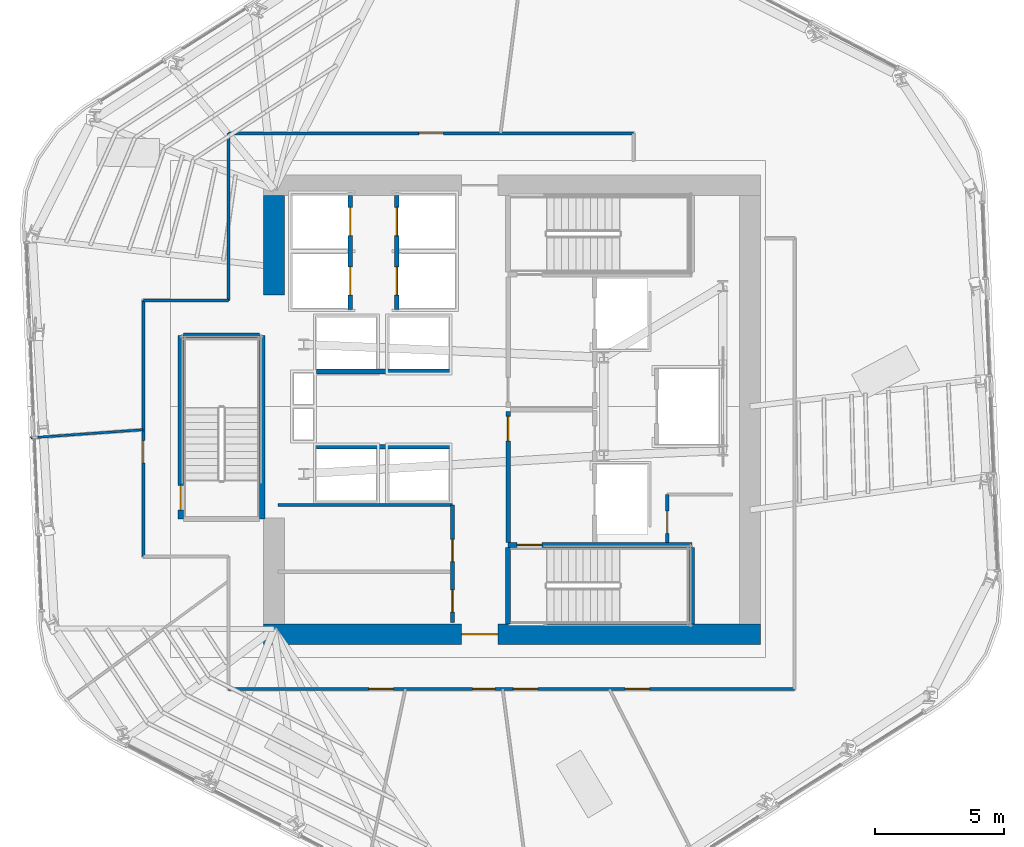
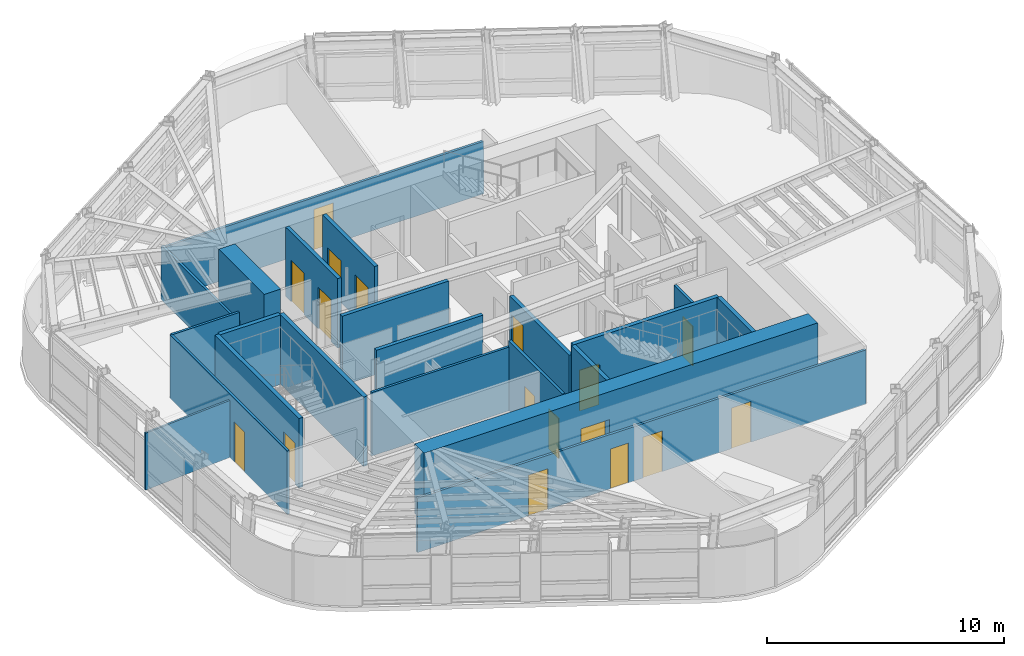
# One storey, part 8 of 15: 22 walls, 17 doors, 17 openings.
"""IFC4 building model written with IfcOpenShell, lengths in metres."""

from ifc_helpers import new_model, si_unit, direction, frame, frame_2d, origin, place, context, subcontext, project, spatial, rectangle, extrude, material, layer, layer_set, type_object, element, fill, save


model = new_model("IFC4")

# Units and contexts
model_context = context("Model", 3, precision=1e-05, world=origin(), true_north=direction((0.0, 1.0)))
body_context = subcontext(model_context, "Body", "Model", "MODEL_VIEW")
ifc_project = project(units=[si_unit("LENGTHUNIT", "METRE"), si_unit("AREAUNIT", "SQUARE_METRE"), si_unit("VOLUMEUNIT", "CUBIC_METRE"), si_unit("PLANEANGLEUNIT", "RADIAN"), si_unit("MASSUNIT", "GRAM", prefix="KILO")], contexts=[model_context])

# Site, building, storey
site_placement = place(None, origin())
site = spatial("IfcSite", under=ifc_project, at=site_placement, CompositionType="ELEMENT")
building_placement = place(site_placement, origin())
building = spatial("IfcBuilding", under=site, at=building_placement, Name="Valkerne Bourse Tower", CompositionType="ELEMENT")
storey_placement = place(building_placement, frame((0.0, 0.0, 162.800048828125)))
storey = spatial("IfcBuildingStorey", under=building, at=storey_placement, Name="L41", CompositionType="ELEMENT", Elevation=162.800048828125)

# Wall, opening, door
ifc_material_1 = material(Name="Concrete C55/67", Category="concrete")
ifc_layer_1 = layer(ifc_material_1, 0.800048828125)
ifc_layer_set_1 = layer_set([ifc_layer_1], Name="Concrete C55/67")
wall_type_1 = type_object("IfcWallType", Name="W-CORE-800", PredefinedType="SHEAR", material=ifc_layer_set_1)
wall_1_placement = place(storey_placement, frame((37.199951171875, 18.199951171875, 0.0), z_axis=(0.0, 0.0, 1.0), x_axis=(1.0, 0.0, 0.0)))
wall_1 = element("IfcWall", 1, at=wall_1_placement, inside=storey, type_object=wall_type_1, Name="L41 Core Shear Wall SOUTH", PredefinedType="SHEAR", context=body_context, shape_type="SweptSolid", body=[
    extrude(rectangle(XDim=19.199951171875, YDim=0.800048828125, at=frame_2d((9.60009765625, 0.0))), origin(), (0.0, 0.0, 1.0), 3.579833984375),
])
opening_1_placement = place(wall_1_placement, frame((7.64990234375, 0.0, 0.0)))
opening_1 = element("IfcOpeningElement", 2, at=opening_1_placement, cuts=wall_1, Name="Opening D-PL-1400", PredefinedType="OPENING", context=body_context, shape_type="SweptSolid", body=[
    extrude(rectangle(XDim=1.39990234375, YDim=2.14990234375, at=frame_2d((0.699951171875, 1.074951171875))), frame((0.0, 0.409912109375, 0.0), z_axis=(0.0, -1.0, 0.0), x_axis=(1.0, 0.0, 0.0)), (0.0, 0.0, 1.0), 0.820068359375),
])
ifc_material_2 = material(Name="Galvanised Painted Steel", Category="steel")
door_type_1 = type_object("IfcDoorType", Name="DR-PLT-1400", OperationType="DOUBLE_DOOR_SINGLE_SWING", PredefinedType="DOOR", material=ifc_material_2)
door_1_placement = place(opening_1_placement, origin())
door_1 = element("IfcDoor", 3, at=door_1_placement, inside=storey, type_object=door_type_1, Name="L41 South Passenger Lift Hall Fire Door", OperationType="DOUBLE_DOOR_SINGLE_SWING", OverallHeight=2.14990234375, OverallWidth=1.39990234375, PredefinedType="DOOR", context=body_context, shape_type="SweptSolid", body=[
    extrude(rectangle(XDim=1.39990234375, YDim=2.14990234375, at=frame_2d((0.699951171875, 1.074951171875))), frame((0.0, 0.02490234375, 0.0), z_axis=(0.0, -1.0, 0.0), x_axis=(1.0, 0.0, 0.0)), (0.0, 0.0, 1.0), 0.050048828125),
])
fill(opening_1, door_1)

# Walls
wall_2_placement = place(storey_placement, frame((37.60009765625, 31.300048828125, 0.0), z_axis=(0.0, 0.0, 1.0), x_axis=(0.0, 1.0, 0.0)))
element("IfcWall", 4, at=wall_2_placement, inside=storey, type_object=wall_type_1, Name="L41 Core Shear Wall WEST-N", PredefinedType="SHEAR", context=body_context, shape_type="SweptSolid", body=[
    extrude(rectangle(XDim=3.849853515625, YDim=0.800048828125, at=frame_2d((1.9248046875, 0.0))), origin(), (0.0, 0.0, 1.0), 3.579833984375),
])
ifc_material_3 = material(Name="Gypsum Board Steel-Stud Partition", Category="steel")
ifc_layer_2 = layer(ifc_material_3, 0.117919921875)
ifc_layer_set_2 = layer_set([ifc_layer_2], Name="Gypsum Board Steel-Stud Partition")
wall_type_2 = type_object("IfcWallType", Name="W-CORR-140", PredefinedType="PARTITIONING", material=ifc_layer_set_2)
wall_3_placement = place(storey_placement, frame((37.75, 23.199951171875, 0.0), z_axis=(0.0, 0.0, 1.0), x_axis=(1.0, 0.0, 0.0)))
element("IfcWall", 5, at=wall_3_placement, inside=storey, type_object=wall_type_2, Name="L41 LV7 Low-Bank North Wall", PredefinedType="PARTITIONING", context=body_context, shape_type="SweptSolid", body=[
    extrude(rectangle(XDim=6.75, YDim=0.117919921875, at=frame_2d((3.375, 0.0))), origin(), (0.0, 0.0, 1.0), 3.280029296875),
])

# Wall, opening, door
wall_4_placement = place(storey_placement, frame((52.800048828125, 21.75, 0.0), z_axis=(0.0, 0.0, 1.0), x_axis=(0.0, 1.0, 0.0)))
wall_4 = element("IfcWall", 6, at=wall_4_placement, inside=storey, type_object=wall_type_2, Name="L41 Core SE South-Bay West Wall", PredefinedType="PARTITIONING", context=body_context, shape_type="SweptSolid", body=[
    extrude(rectangle(XDim=1.85009765625, YDim=0.117919921875, at=frame_2d((0.925048828125, 0.0))), origin(), (0.0, 0.0, 1.0), 3.280029296875),
])
opening_2_placement = place(wall_4_placement, frame((0.35009765625, 0.0, 0.0)))
opening_2 = element("IfcOpeningElement", 7, at=opening_2_placement, cuts=wall_4, Name="Opening D-WC-900", PredefinedType="OPENING", context=body_context, shape_type="SweptSolid", body=[
    extrude(rectangle(XDim=0.860107421875, YDim=2.050048828125, at=frame_2d((0.43017578125, 1.02490234375))), frame((0.0, 0.06884765625, 0.0), z_axis=(0.0, -1.0, 0.0), x_axis=(1.0, 0.0, 0.0)), (0.0, 0.0, 1.0), 0.137939453125),
])
ifc_material_4 = material(Name="Architectural White Oak Timber", Category="wood")
door_type_2 = type_object("IfcDoorType", Name="DR-WC-900", OperationType="NOTDEFINED", PredefinedType="DOOR", material=ifc_material_4)
door_2_placement = place(opening_2_placement, origin())
door_2 = element("IfcDoor", 8, at=door_2_placement, inside=storey, type_object=door_type_2, Name="L41 Janitor Store Door", OperationType="SINGLE_SWING_RIGHT", OverallHeight=2.050048828125, OverallWidth=0.860107421875, PredefinedType="DOOR", context=body_context, shape_type="SweptSolid", body=[
    extrude(rectangle(XDim=0.860107421875, YDim=2.050048828125, at=frame_2d((0.43017578125, 1.02490234375))), frame((0.0, 0.02490234375, 0.0), z_axis=(0.0, -1.0, 0.0), x_axis=(1.0, 0.0, 0.0)), (0.0, 0.0, 1.0), 0.050048828125),
])
fill(opening_2, door_2)

wall_5_placement = place(storey_placement, frame((32.550048828125, 21.199951171875, 0.0), z_axis=(0.0, 0.0, 1.0), x_axis=(0.0, 1.0, 0.0)))
wall_5 = element("IfcWall", 9, at=wall_5_placement, inside=storey, type_object=wall_type_2, Name="L41 Corridor Enclosure Wall", PredefinedType="PARTITIONING", context=body_context, shape_type="SweptSolid", body=[
    extrude(rectangle(XDim=9.900146484375, YDim=0.117919921875, at=frame_2d((4.9501953125, 0.0))), origin(), (0.0, 0.0, 1.0), 3.280029296875),
])
opening_3_placement = place(wall_5_placement, frame((3.6201171875, 0.0, 0.0)))
opening_3 = element("IfcOpeningElement", 10, at=opening_3_placement, cuts=wall_5, Name="Opening D-WC-900", PredefinedType="OPENING", context=body_context, shape_type="SweptSolid", body=[
    extrude(rectangle(XDim=0.860107421875, YDim=2.050048828125, at=frame_2d((0.43017578125, 1.02490234375))), frame((0.0, 0.06884765625, 0.0), z_axis=(0.0, -1.0, 0.0), x_axis=(1.0, 0.0, 0.0)), (0.0, 0.0, 1.0), 0.137939453125),
])
door_3_placement = place(opening_3_placement, origin())
door_3 = element("IfcDoor", 11, at=door_3_placement, inside=storey, type_object=door_type_2, Name="L41 L41 Men Bathroom WC 1 Door", OperationType="SINGLE_SWING_RIGHT", OverallHeight=2.050048828125, OverallWidth=0.860107421875, PredefinedType="DOOR", context=body_context, shape_type="SweptSolid", body=[
    extrude(rectangle(XDim=0.860107421875, YDim=2.050048828125, at=frame_2d((0.43017578125, 1.02490234375))), frame((0.0, 0.02490234375, 0.0), z_axis=(0.0, -1.0, 0.0), x_axis=(1.0, 0.0, 0.0)), (0.0, 0.0, 1.0), 0.050048828125),
])
fill(opening_3, door_3)

# Walls
wall_6_placement = place(storey_placement, frame((32.550048828125, 31.10009765625, 0.0), z_axis=(0.0, 0.0, 1.0), x_axis=(1.0, 0.0, 0.0)))
element("IfcWall", 12, at=wall_6_placement, inside=storey, type_object=wall_type_2, Name="L41 Corridor Enclosure Wall", PredefinedType="PARTITIONING", context=body_context, shape_type="SweptSolid", body=[
    extrude(rectangle(XDim=3.300048828125, YDim=0.117919921875, at=frame_2d((1.64990234375, 0.0))), origin(), (0.0, 0.0, 1.0), 3.280029296875),
])
wall_7_placement = place(storey_placement, frame((35.85009765625, 31.10009765625, 0.0), z_axis=(0.0, 0.0, 1.0), x_axis=(0.0, 1.0, 0.0)))
element("IfcWall", 13, at=wall_7_placement, inside=storey, type_object=wall_type_2, Name="L41 Corridor Enclosure Wall", PredefinedType="PARTITIONING", context=body_context, shape_type="SweptSolid", body=[
    extrude(rectangle(XDim=6.4599609375, YDim=0.117919921875, at=frame_2d((3.22998046875, 0.0))), origin(), (0.0, 0.0, 1.0), 2.80029296875),
])

# Wall, opening, door
wall_8_placement = place(storey_placement, frame((35.85009765625, 37.56005859375, 0.0), z_axis=(0.0, 0.0, 1.0), x_axis=(1.0, 0.0, 0.0)))
wall_8 = element("IfcWall", 14, at=wall_8_placement, inside=storey, type_object=wall_type_2, Name="L41 Corridor Enclosure Wall", PredefinedType="PARTITIONING", context=body_context, shape_type="SweptSolid", body=[
    extrude(rectangle(XDim=15.64990234375, YDim=0.117919921875, at=frame_2d((7.824951171875, 0.0))), origin(), (0.0, 0.0, 1.0), 2.71142578125),
])
opening_4_placement = place(wall_8_placement, frame((7.35009765625, 0.0, 0.0)))
opening_4 = element("IfcOpeningElement", 15, at=opening_4_placement, cuts=wall_8, Name="Opening D-OF-950", PredefinedType="OPENING", context=body_context, shape_type="SweptSolid", body=[
    extrude(rectangle(XDim=0.949951171875, YDim=2.10009765625, at=frame_2d((0.47509765625, 1.050048828125))), frame((0.0, 0.06884765625, 0.0), z_axis=(0.0, -1.0, 0.0), x_axis=(1.0, 0.0, 0.0)), (0.0, 0.0, 1.0), 0.137939453125),
])
door_type_3 = type_object("IfcDoorType", Name="DR-OFF-950", OperationType="NOTDEFINED", PredefinedType="DOOR", material=ifc_material_4)
door_4_placement = place(opening_4_placement, origin())
door_4 = element("IfcDoor", 16, at=door_4_placement, inside=storey, type_object=door_type_3, Name="L41 L41 Exchange Security Control Room 5 Door", OperationType="SINGLE_SWING_LEFT", OverallHeight=2.10009765625, OverallWidth=0.949951171875, PredefinedType="DOOR", context=body_context, shape_type="SweptSolid", body=[
    extrude(rectangle(XDim=0.949951171875, YDim=2.10009765625, at=frame_2d((0.47509765625, 1.050048828125))), frame((0.0, 0.02490234375, 0.0), z_axis=(0.0, -1.0, 0.0), x_axis=(1.0, 0.0, 0.0)), (0.0, 0.0, 1.0), 0.050048828125),
])
fill(opening_4, door_4)

# Wall, openings, doors
wall_9_placement = place(storey_placement, frame((57.719970703125, 16.080078125, 0.0), z_axis=(0.0, 0.0, 1.0), x_axis=(-1.0, 0.0, 0.0)))
wall_9 = element("IfcWall", 17, at=wall_9_placement, inside=storey, type_object=wall_type_2, Name="L41 Corridor Enclosure Wall", PredefinedType="PARTITIONING", context=body_context, shape_type="SweptSolid", body=[
    extrude(rectangle(XDim=21.869873046875, YDim=0.117919921875, at=frame_2d((10.93505859375, 0.0))), origin(), (0.0, 0.0, 1.0), 2.80029296875),
])
opening_5_placement = place(wall_9_placement, frame((11.5849609375, 0.0, 0.0)))
opening_5 = element("IfcOpeningElement", 18, at=opening_5_placement, cuts=wall_9, Name="Opening D-WC-900", PredefinedType="OPENING", context=body_context, shape_type="SweptSolid", body=[
    extrude(rectangle(XDim=0.860107421875, YDim=2.050048828125, at=frame_2d((0.43017578125, 1.02490234375))), frame((0.0, 0.06884765625, 0.0), z_axis=(0.0, -1.0, 0.0), x_axis=(1.0, 0.0, 0.0)), (0.0, 0.0, 1.0), 0.137939453125),
])
opening_6_placement = place(wall_9_placement, frame((9.919921875, 0.0, 0.0)))
opening_6 = element("IfcOpeningElement", 19, at=opening_6_placement, cuts=wall_9, Name="Opening D-OF-950", PredefinedType="OPENING", context=body_context, shape_type="SweptSolid", body=[
    extrude(rectangle(XDim=0.949951171875, YDim=2.10009765625, at=frame_2d((0.47509765625, 1.050048828125))), frame((0.0, 0.06884765625, 0.0), z_axis=(0.0, -1.0, 0.0), x_axis=(1.0, 0.0, 0.0)), (0.0, 0.0, 1.0), 0.137939453125),
])
opening_7_placement = place(wall_9_placement, frame((15.5, 0.0, 0.0)))
opening_7 = element("IfcOpeningElement", 20, at=opening_7_placement, cuts=wall_9, Name="Opening D-OF-950", PredefinedType="OPENING", context=body_context, shape_type="SweptSolid", body=[
    extrude(rectangle(XDim=0.949951171875, YDim=2.10009765625, at=frame_2d((0.47509765625, 1.050048828125))), frame((0.0, 0.06884765625, 0.0), z_axis=(0.0, -1.0, 0.0), x_axis=(1.0, 0.0, 0.0)), (0.0, 0.0, 1.0), 0.137939453125),
])
opening_8_placement = place(wall_9_placement, frame((5.60009765625, 0.0, 0.0)))
opening_8 = element("IfcOpeningElement", 21, at=opening_8_placement, cuts=wall_9, Name="Opening D-OF-950", PredefinedType="OPENING", context=body_context, shape_type="SweptSolid", body=[
    extrude(rectangle(XDim=0.949951171875, YDim=2.10009765625, at=frame_2d((0.47509765625, 1.050048828125))), frame((0.0, 0.06884765625, 0.0), z_axis=(0.0, -1.0, 0.0), x_axis=(1.0, 0.0, 0.0)), (0.0, 0.0, 1.0), 0.137939453125),
])
door_5_placement = place(opening_6_placement, origin())
door_5 = element("IfcDoor", 22, at=door_5_placement, inside=storey, type_object=door_type_3, Name="L41 L41 VIP Client Concierge Reception 3 Door", OperationType="SINGLE_SWING_LEFT", OverallHeight=2.10009765625, OverallWidth=0.949951171875, PredefinedType="DOOR", context=body_context, shape_type="SweptSolid", body=[
    extrude(rectangle(XDim=0.949951171875, YDim=2.10009765625, at=frame_2d((0.47509765625, 1.050048828125))), frame((0.0, 0.02490234375, 0.0), z_axis=(0.0, -1.0, 0.0), x_axis=(1.0, 0.0, 0.0)), (0.0, 0.0, 1.0), 0.050048828125),
])
fill(opening_6, door_5)
door_6_placement = place(opening_7_placement, origin())
door_6 = element("IfcDoor", 23, at=door_6_placement, inside=storey, type_object=door_type_3, Name="L41 L41 VIP Client Concierge Reception 4 Door", OperationType="SINGLE_SWING_LEFT", OverallHeight=2.10009765625, OverallWidth=0.949951171875, PredefinedType="DOOR", context=body_context, shape_type="SweptSolid", body=[
    extrude(rectangle(XDim=0.949951171875, YDim=2.10009765625, at=frame_2d((0.47509765625, 1.050048828125))), frame((0.0, 0.02490234375, 0.0), z_axis=(0.0, -1.0, 0.0), x_axis=(1.0, 0.0, 0.0)), (0.0, 0.0, 1.0), 0.050048828125),
])
fill(opening_7, door_6)
door_7_placement = place(opening_8_placement, origin())
door_7 = element("IfcDoor", 24, at=door_7_placement, inside=storey, type_object=door_type_3, Name="L41 L41 Member Collaboration Club Salon 6 Door", OperationType="SINGLE_SWING_LEFT", OverallHeight=2.10009765625, OverallWidth=0.949951171875, PredefinedType="DOOR", context=body_context, shape_type="SweptSolid", body=[
    extrude(rectangle(XDim=0.949951171875, YDim=2.10009765625, at=frame_2d((0.47509765625, 1.050048828125))), frame((0.0, 0.02490234375, 0.0), z_axis=(0.0, -1.0, 0.0), x_axis=(1.0, 0.0, 0.0)), (0.0, 0.0, 1.0), 0.050048828125),
])
fill(opening_8, door_7)
door_8_placement = place(opening_5_placement, origin())
door_8 = element("IfcDoor", 25, at=door_8_placement, inside=storey, type_object=door_type_2, Name="L41 L41 Women Restroom & Shower WC 2 Door", OperationType="SINGLE_SWING_RIGHT", OverallHeight=2.050048828125, OverallWidth=0.860107421875, PredefinedType="DOOR", context=body_context, shape_type="SweptSolid", body=[
    extrude(rectangle(XDim=0.860107421875, YDim=2.050048828125, at=frame_2d((0.43017578125, 1.02490234375))), frame((0.0, 0.02490234375, 0.0), z_axis=(0.0, -1.0, 0.0), x_axis=(1.0, 0.0, 0.0)), (0.0, 0.0, 1.0), 0.050048828125),
])
fill(opening_5, door_8)

# Wall, opening, door
ifc_material_5 = material(Name="Gypsum Fire-Rated Shaftwall", Category="gypsum")
ifc_layer_3 = layer(ifc_material_5, 0.179931640625)
ifc_layer_set_3 = layer_set([ifc_layer_3], Name="Gypsum Fire-Rated Shaftwall")
wall_type_3 = type_object("IfcWallType", Name="W-FSAE-180", PredefinedType="PARTITIONING", material=ifc_layer_set_3)
wall_10_placement = place(storey_placement, frame((46.64990234375, 21.75, 0.0), z_axis=(0.0, 0.0, 1.0), x_axis=(0.0, 1.0, 0.0)))
wall_10 = element("IfcWall", 26, at=wall_10_placement, inside=storey, type_object=wall_type_3, Name="L41 FSAE-1 Lobby West Fire Wall", PredefinedType="PARTITIONING", context=body_context, shape_type="SweptSolid", body=[
    extrude(rectangle(XDim=5.050048828125, YDim=0.179931640625, at=frame_2d((2.52490234375, 0.0))), origin(), (0.0, 0.0, 1.0), 2.957763671875),
])
opening_9_placement = place(wall_10_placement, frame((3.919921875, 0.0, 0.0)))
opening_9 = element("IfcOpeningElement", 27, at=opening_9_placement, cuts=wall_10, Name="Opening D-FS-950", PredefinedType="OPENING", context=body_context, shape_type="SweptSolid", body=[
    extrude(rectangle(XDim=0.949951171875, YDim=2.10009765625, at=frame_2d((0.47509765625, 1.050048828125))), frame((0.0, 0.099853515625, 0.0), z_axis=(0.0, -1.0, 0.0), x_axis=(1.0, 0.0, 0.0)), (0.0, 0.0, 1.0), 0.199951171875),
])
door_type_4 = type_object("IfcDoorType", Name="DR-FSAE-950", OperationType="NOTDEFINED", PredefinedType="DOOR", material=ifc_material_2)
door_9_placement = place(opening_9_placement, origin())
door_9 = element("IfcDoor", 28, at=door_9_placement, inside=storey, type_object=door_type_4, Name="L41 FSAE-1 Hall Link Fire Door", OperationType="SINGLE_SWING_LEFT", OverallHeight=2.10009765625, OverallWidth=0.949951171875, PredefinedType="DOOR", context=body_context, shape_type="SweptSolid", body=[
    extrude(rectangle(XDim=0.949951171875, YDim=2.10009765625, at=frame_2d((0.47509765625, 1.050048828125))), frame((0.0, 0.02490234375, 0.0), z_axis=(0.0, -1.0, 0.0), x_axis=(1.0, 0.0, 0.0)), (0.0, 0.0, 1.0), 0.050048828125),
])
fill(opening_9, door_9)

# Wall, openings, doors
ifc_material_6 = material(Name="CMU Blockwork Masonry 200mm", Category="masonry")
ifc_layer_4 = layer(ifc_material_6, 0.179931640625)
ifc_layer_set_4 = layer_set([ifc_layer_4], Name="CMU Blockwork Masonry 200mm")
wall_type_4 = type_object("IfcWallType", Name="W-LFT-180", PredefinedType="SOLIDWALL", material=ifc_layer_set_4)
wall_11_placement = place(storey_placement, frame((40.550048828125, 30.75, 0.0), z_axis=(0.0, 0.0, 1.0), x_axis=(0.0, 1.0, 0.0)))
wall_11 = element("IfcWall", 29, at=wall_11_placement, inside=storey, type_object=wall_type_4, Name="L41 Mid-Zone West Cars Front Wall", PredefinedType="SOLIDWALL", context=body_context, shape_type="SweptSolid", body=[
    extrude(rectangle(XDim=4.39990234375, YDim=0.179931640625, at=frame_2d((2.199951171875, 0.0))), origin(), (0.0, 0.0, 1.0), 3.579833984375),
])
opening_10_placement = place(wall_11_placement, frame((0.550048828125, 0.0, 0.0)))
opening_10 = element("IfcOpeningElement", 30, at=opening_10_placement, cuts=wall_11, Name="Opening LD-1100", PredefinedType="OPENING", context=body_context, shape_type="SweptSolid", body=[
    extrude(rectangle(XDim=1.10009765625, YDim=2.14990234375, at=frame_2d((0.550048828125, 1.074951171875))), frame((0.0, 0.099853515625, 0.0), z_axis=(0.0, -1.0, 0.0), x_axis=(1.0, 0.0, 0.0)), (0.0, 0.0, 1.0), 0.199951171875),
])
opening_11_placement = place(wall_11_placement, frame((2.85009765625, 0.0, 0.0)))
opening_11 = element("IfcOpeningElement", 31, at=opening_11_placement, cuts=wall_11, Name="Opening LD-1100", PredefinedType="OPENING", context=body_context, shape_type="SweptSolid", body=[
    extrude(rectangle(XDim=1.10009765625, YDim=2.14990234375, at=frame_2d((0.550048828125, 1.074951171875))), frame((0.0, 0.099853515625, 0.0), z_axis=(0.0, -1.0, 0.0), x_axis=(1.0, 0.0, 0.0)), (0.0, 0.0, 1.0), 0.199951171875),
])
ifc_material_7 = material(Name="Stainless Steel AISI 316", Category="steel")
door_type_5 = type_object("IfcDoorType", Name="DR-LIFT-1100", OperationType="DOUBLE_DOOR_SLIDING", PredefinedType="DOOR", material=ifc_material_7)
door_10_placement = place(opening_10_placement, origin())
door_10 = element("IfcDoor", 32, at=door_10_placement, inside=storey, type_object=door_type_5, Name="L41 Passenger Lift PL-M1 Sliding Landing Door", OperationType="DOUBLE_DOOR_SLIDING", OverallHeight=2.14990234375, OverallWidth=1.10009765625, PredefinedType="DOOR", context=body_context, shape_type="SweptSolid", body=[
    extrude(rectangle(XDim=1.10009765625, YDim=2.14990234375, at=frame_2d((0.550048828125, 1.074951171875))), frame((0.0, 0.02490234375, 0.0), z_axis=(0.0, -1.0, 0.0), x_axis=(1.0, 0.0, 0.0)), (0.0, 0.0, 1.0), 0.050048828125),
])
fill(opening_10, door_10)
door_11_placement = place(opening_11_placement, origin())
door_11 = element("IfcDoor", 33, at=door_11_placement, inside=storey, type_object=door_type_5, Name="L41 Passenger Lift PL-M2 Sliding Landing Door", OperationType="DOUBLE_DOOR_SLIDING", OverallHeight=2.14990234375, OverallWidth=1.10009765625, PredefinedType="DOOR", context=body_context, shape_type="SweptSolid", body=[
    extrude(rectangle(XDim=1.10009765625, YDim=2.14990234375, at=frame_2d((0.550048828125, 1.074951171875))), frame((0.0, 0.02490234375, 0.0), z_axis=(0.0, -1.0, 0.0), x_axis=(1.0, 0.0, 0.0)), (0.0, 0.0, 1.0), 0.050048828125),
])
fill(opening_11, door_11)

wall_12_placement = place(storey_placement, frame((42.35009765625, 30.75, 0.0), z_axis=(0.0, 0.0, 1.0), x_axis=(0.0, 1.0, 0.0)))
wall_12 = element("IfcWall", 34, at=wall_12_placement, inside=storey, type_object=wall_type_4, Name="L41 Mid-Zone East Cars Front Wall", PredefinedType="SOLIDWALL", context=body_context, shape_type="SweptSolid", body=[
    extrude(rectangle(XDim=4.39990234375, YDim=0.179931640625, at=frame_2d((2.199951171875, 0.0))), origin(), (0.0, 0.0, 1.0), 3.579833984375),
])
opening_12_placement = place(wall_12_placement, frame((0.550048828125, 0.0, 0.0)))
opening_12 = element("IfcOpeningElement", 35, at=opening_12_placement, cuts=wall_12, Name="Opening LD-1100", PredefinedType="OPENING", context=body_context, shape_type="SweptSolid", body=[
    extrude(rectangle(XDim=1.10009765625, YDim=2.14990234375, at=frame_2d((0.550048828125, 1.074951171875))), frame((0.0, 0.099853515625, 0.0), z_axis=(0.0, -1.0, 0.0), x_axis=(1.0, 0.0, 0.0)), (0.0, 0.0, 1.0), 0.199951171875),
])
opening_13_placement = place(wall_12_placement, frame((2.85009765625, 0.0, 0.0)))
opening_13 = element("IfcOpeningElement", 36, at=opening_13_placement, cuts=wall_12, Name="Opening LD-1100", PredefinedType="OPENING", context=body_context, shape_type="SweptSolid", body=[
    extrude(rectangle(XDim=1.10009765625, YDim=2.14990234375, at=frame_2d((0.550048828125, 1.074951171875))), frame((0.0, 0.099853515625, 0.0), z_axis=(0.0, -1.0, 0.0), x_axis=(1.0, 0.0, 0.0)), (0.0, 0.0, 1.0), 0.199951171875),
])
door_12_placement = place(opening_12_placement, origin())
door_12 = element("IfcDoor", 37, at=door_12_placement, inside=storey, type_object=door_type_5, Name="L41 Passenger Lift PL-M3 Sliding Landing Door", OperationType="DOUBLE_DOOR_SLIDING", OverallHeight=2.14990234375, OverallWidth=1.10009765625, PredefinedType="DOOR", context=body_context, shape_type="SweptSolid", body=[
    extrude(rectangle(XDim=1.10009765625, YDim=2.14990234375, at=frame_2d((0.550048828125, 1.074951171875))), frame((0.0, 0.02490234375, 0.0), z_axis=(0.0, -1.0, 0.0), x_axis=(1.0, 0.0, 0.0)), (0.0, 0.0, 1.0), 0.050048828125),
])
fill(opening_12, door_12)
door_13_placement = place(opening_13_placement, origin())
door_13 = element("IfcDoor", 38, at=door_13_placement, inside=storey, type_object=door_type_5, Name="L41 Passenger Lift PL-M4 Sliding Landing Door", OperationType="DOUBLE_DOOR_SLIDING", OverallHeight=2.14990234375, OverallWidth=1.10009765625, PredefinedType="DOOR", context=body_context, shape_type="SweptSolid", body=[
    extrude(rectangle(XDim=1.10009765625, YDim=2.14990234375, at=frame_2d((0.550048828125, 1.074951171875))), frame((0.0, 0.02490234375, 0.0), z_axis=(0.0, -1.0, 0.0), x_axis=(1.0, 0.0, 0.0)), (0.0, 0.0, 1.0), 0.050048828125),
])
fill(opening_13, door_13)

# Walls
for number, where, z_axis, x_axis, name in (
    (39, (39.25, 25.449951171875, 0.0), (0.0, 0.0, 1.0), (1.0, 0.0, 0.0), "L41 High-Zone South Cars Front Wall"),
    (40, (39.25, 28.35009765625, 0.0), (0.0, 0.0, 1.0), (1.0, 0.0, 0.0), "L41 High-Zone North Cars Front Wall"),
):
    element("IfcWall", number, at=place(storey_placement, frame(where, z_axis=z_axis, x_axis=x_axis)), inside=storey, type_object=wall_type_4, Name=name, PredefinedType="SOLIDWALL", context=body_context, shape_type="SweptSolid", body=[
        extrude(rectangle(XDim=5.199951171875, YDim=0.179931640625, at=frame_2d((2.60009765625, 0.0))), origin(), (0.0, 0.0, 1.0), 3.579833984375),
    ])
ifc_layer_5 = layer(ifc_material_3, 0.092041015625)
ifc_layer_set_5 = layer_set([ifc_layer_5], Name="Gypsum Board Steel-Stud Partition")
wall_type_5 = type_object("IfcWallType", Name="W-PART-115", PredefinedType="PARTITIONING", material=ifc_layer_set_5)
wall_13_placement = place(storey_placement, frame((32.544921875, 26.102294921875, 0.0), z_axis=(0.0, 0.0, 1.0), x_axis=(-0.997409552469, -0.071931805514, 0.0)))
element("IfcWall", 41, at=wall_13_placement, inside=storey, type_object=wall_type_5, Name="L41 Suite Partition P05", PredefinedType="PARTITIONING", context=body_context, shape_type="SweptSolid", body=[
    extrude(rectangle(XDim=4.35791015625, YDim=0.092041015625, at=frame_2d((2.178955078125, 0.0))), origin(), (0.0, 0.0, 1.0), 2.942626953125),
])

# Wall, opening, door
ifc_material_8 = material(Name="Concrete C40/50", Category="concrete")
ifc_layer_6 = layer(ifc_material_8, 0.199951171875)
ifc_layer_set_6 = layer_set([ifc_layer_6], Name="Concrete C40/50")
wall_type_6 = type_object("IfcWallType", Name="W-SHF-200", PredefinedType="SHEAR", material=ifc_layer_set_6)
wall_14_placement = place(storey_placement, frame((46.64990234375, 21.64990234375, 0.0), z_axis=(0.0, 0.0, 1.0), x_axis=(1.0, 0.0, 0.0)))
wall_14 = element("IfcWall", 42, at=wall_14_placement, inside=storey, type_object=wall_type_6, Name="L41 Exit Stair ST-1 Structural Shaft Wall North", PredefinedType="SHEAR", context=body_context, shape_type="SweptSolid", body=[
    extrude(rectangle(XDim=7.10009765625, YDim=0.199951171875, at=frame_2d((3.550048828125, 0.0))), origin(), (0.0, 0.0, 1.0), 3.579833984375),
])
opening_14_placement = place(wall_14_placement, frame((0.35009765625, 0.0, 0.0)))
opening_14 = element("IfcOpeningElement", 43, at=opening_14_placement, cuts=wall_14, Name="Opening D-ST-950", PredefinedType="OPENING", context=body_context, shape_type="SweptSolid", body=[
    extrude(rectangle(XDim=0.949951171875, YDim=2.10009765625, at=frame_2d((0.47509765625, 1.050048828125))), frame((0.0, 0.10986328125, 0.0), z_axis=(0.0, -1.0, 0.0), x_axis=(1.0, 0.0, 0.0)), (0.0, 0.0, 1.0), 0.219970703125),
])
door_type_6 = type_object("IfcDoorType", Name="DR-STAIR-950", OperationType="NOTDEFINED", PredefinedType="DOOR", material=ifc_material_2)
door_14_placement = place(opening_14_placement, origin())
door_14 = element("IfcDoor", 44, at=door_14_placement, inside=storey, type_object=door_type_6, Name="L41 Exit Stair ST-1 Door", OperationType="SINGLE_SWING_LEFT", OverallHeight=2.10009765625, OverallWidth=0.949951171875, PredefinedType="DOOR", context=body_context, shape_type="SweptSolid", body=[
    extrude(rectangle(XDim=0.949951171875, YDim=2.10009765625, at=frame_2d((0.47509765625, 1.050048828125))), frame((0.0, 0.02490234375, 0.0), z_axis=(0.0, -1.0, 0.0), x_axis=(1.0, 0.0, 0.0)), (0.0, 0.0, 1.0), 0.050048828125),
])
fill(opening_14, door_14)

# Walls
for number, where, z_axis, x_axis, name in (
    (45, (46.64990234375, 18.60009765625, 0.0), (0.0, 0.0, 1.0), (0.0, 1.0, 0.0), "L41 Exit Stair ST-1 Structural Shaft Wall West"),
    (46, (53.75, 18.60009765625, 0.0), (0.0, 0.0, 1.0), (0.0, 1.0, 0.0), "L41 Exit Stair ST-1 Structural Shaft Wall East"),
):
    element("IfcWall", number, at=place(storey_placement, frame(where, z_axis=z_axis, x_axis=x_axis)), inside=storey, type_object=wall_type_6, Name=name, PredefinedType="SHEAR", context=body_context, shape_type="SweptSolid", body=[
        extrude(rectangle(XDim=2.949951171875, YDim=0.199951171875, at=frame_2d((1.47509765625, 0.0))), origin(), (0.0, 0.0, 1.0), 3.579833984375),
    ])

# Wall, opening, door
wall_15_placement = place(storey_placement, frame((34.0, 22.64990234375, 0.0), z_axis=(0.0, 0.0, 1.0), x_axis=(0.0, 1.0, 0.0)))
wall_15 = element("IfcWall", 47, at=wall_15_placement, inside=storey, type_object=wall_type_6, Name="L41 Exit Stair ST-3 Structural Shaft Wall West", PredefinedType="SHEAR", context=body_context, shape_type="SweptSolid", body=[
    extrude(rectangle(XDim=7.10009765625, YDim=0.199951171875, at=frame_2d((3.550048828125, 0.0))), origin(), (0.0, 0.0, 1.0), 3.579833984375),
])
opening_15_placement = place(wall_15_placement, frame((0.35009765625, 0.0, 0.0)))
opening_15 = element("IfcOpeningElement", 48, at=opening_15_placement, cuts=wall_15, Name="Opening D-ST-950", PredefinedType="OPENING", context=body_context, shape_type="SweptSolid", body=[
    extrude(rectangle(XDim=0.949951171875, YDim=2.10009765625, at=frame_2d((0.47509765625, 1.050048828125))), frame((0.0, 0.10986328125, 0.0), z_axis=(0.0, -1.0, 0.0), x_axis=(1.0, 0.0, 0.0)), (0.0, 0.0, 1.0), 0.219970703125),
])
door_15_placement = place(opening_15_placement, origin())
door_15 = element("IfcDoor", 49, at=door_15_placement, inside=storey, type_object=door_type_6, Name="L41 Exit Stair ST-3 Door", OperationType="SINGLE_SWING_LEFT", OverallHeight=2.10009765625, OverallWidth=0.949951171875, PredefinedType="DOOR", context=body_context, shape_type="SweptSolid", body=[
    extrude(rectangle(XDim=0.949951171875, YDim=2.10009765625, at=frame_2d((0.47509765625, 1.050048828125))), frame((0.0, 0.02490234375, 0.0), z_axis=(0.0, -1.0, 0.0), x_axis=(1.0, 0.0, 0.0)), (0.0, 0.0, 1.0), 0.050048828125),
])
fill(opening_15, door_15)

# Walls
wall_16_placement = place(storey_placement, frame((34.10009765625, 29.75, 0.0), z_axis=(0.0, 0.0, 1.0), x_axis=(1.0, 0.0, 0.0)))
element("IfcWall", 50, at=wall_16_placement, inside=storey, type_object=wall_type_6, Name="L41 Exit Stair ST-3 Structural Shaft Wall North", PredefinedType="SHEAR", context=body_context, shape_type="SweptSolid", body=[
    extrude(rectangle(XDim=2.949951171875, YDim=0.199951171875, at=frame_2d((1.47509765625, 0.0))), origin(), (0.0, 0.0, 1.0), 3.579833984375),
])
wall_17_placement = place(storey_placement, frame((37.14990234375, 22.64990234375, 0.0), z_axis=(0.0, 0.0, 1.0), x_axis=(0.0, 1.0, 0.0)))
element("IfcWall", 51, at=wall_17_placement, inside=storey, type_object=wall_type_6, Name="L41 Exit Stair ST-3 Structural Shaft Wall East", PredefinedType="SHEAR", context=body_context, shape_type="SweptSolid", body=[
    extrude(rectangle(XDim=7.10009765625, YDim=0.199951171875, at=frame_2d((3.550048828125, 0.0))), origin(), (0.0, 0.0, 1.0), 3.579833984375),
])

# Wall, openings, doors
ifc_material_9 = material(Name="Moisture-Resistant Gypsum Partition", Category="gypsum")
ifc_layer_7 = layer(ifc_material_9, 0.139892578125)
ifc_layer_set_7 = layer_set([ifc_layer_7], Name="Moisture-Resistant Gypsum Partition")
wall_type_7 = type_object("IfcWallType", Name="W-WET-140", PredefinedType="PARTITIONING", material=ifc_layer_set_7)
wall_18_placement = place(storey_placement, frame((44.5, 18.64990234375, 0.0), z_axis=(0.0, 0.0, 1.0), x_axis=(0.0, 1.0, 0.0)))
wall_18 = element("IfcWall", 52, at=wall_18_placement, inside=storey, type_object=wall_type_7, Name="L41 LV7 Low-Bank East Wall", PredefinedType="PARTITIONING", context=body_context, shape_type="SweptSolid", body=[
    extrude(rectangle(XDim=4.550048828125, YDim=0.139892578125, at=frame_2d((2.27490234375, 0.0))), origin(), (0.0, 0.0, 1.0), 3.579833984375),
])
opening_16_placement = place(wall_18_placement, frame((0.39990234375, 0.0, 0.0)))
opening_16 = element("IfcOpeningElement", 53, at=opening_16_placement, cuts=wall_18, Name="Opening D-WC-900", PredefinedType="OPENING", context=body_context, shape_type="SweptSolid", body=[
    extrude(rectangle(XDim=0.860107421875, YDim=2.050048828125, at=frame_2d((0.43017578125, 1.02490234375))), frame((0.0, 0.079833984375, 0.0), z_axis=(0.0, -1.0, 0.0), x_axis=(1.0, 0.0, 0.0)), (0.0, 0.0, 1.0), 0.159912109375),
])
opening_17_placement = place(wall_18_placement, frame((2.35009765625, 0.0, 0.0)))
opening_17 = element("IfcOpeningElement", 54, at=opening_17_placement, cuts=wall_18, Name="Opening D-WC-900", PredefinedType="OPENING", context=body_context, shape_type="SweptSolid", body=[
    extrude(rectangle(XDim=0.860107421875, YDim=2.050048828125, at=frame_2d((0.43017578125, 1.02490234375))), frame((0.0, 0.079833984375, 0.0), z_axis=(0.0, -1.0, 0.0), x_axis=(1.0, 0.0, 0.0)), (0.0, 0.0, 1.0), 0.159912109375),
])
door_16_placement = place(opening_16_placement, origin())
door_16 = element("IfcDoor", 55, at=door_16_placement, inside=storey, type_object=door_type_2, Name="L41 Beverage Kitchen Door", OperationType="SINGLE_SWING_RIGHT", OverallHeight=2.050048828125, OverallWidth=0.860107421875, PredefinedType="DOOR", context=body_context, shape_type="SweptSolid", body=[
    extrude(rectangle(XDim=0.860107421875, YDim=2.050048828125, at=frame_2d((0.43017578125, 1.02490234375))), frame((0.0, 0.02490234375, 0.0), z_axis=(0.0, -1.0, 0.0), x_axis=(1.0, 0.0, 0.0)), (0.0, 0.0, 1.0), 0.050048828125),
])
fill(opening_16, door_16)
door_17_placement = place(opening_17_placement, origin())
door_17 = element("IfcDoor", 56, at=door_17_placement, inside=storey, type_object=door_type_2, Name="L41 Compliance Briefing Office Door", OperationType="SINGLE_SWING_RIGHT", OverallHeight=2.050048828125, OverallWidth=0.860107421875, PredefinedType="DOOR", context=body_context, shape_type="SweptSolid", body=[
    extrude(rectangle(XDim=0.860107421875, YDim=2.050048828125, at=frame_2d((0.43017578125, 1.02490234375))), frame((0.0, 0.02490234375, 0.0), z_axis=(0.0, -1.0, 0.0), x_axis=(1.0, 0.0, 0.0)), (0.0, 0.0, 1.0), 0.050048828125),
])
fill(opening_17, door_17)

save(model, "model.ifc")
